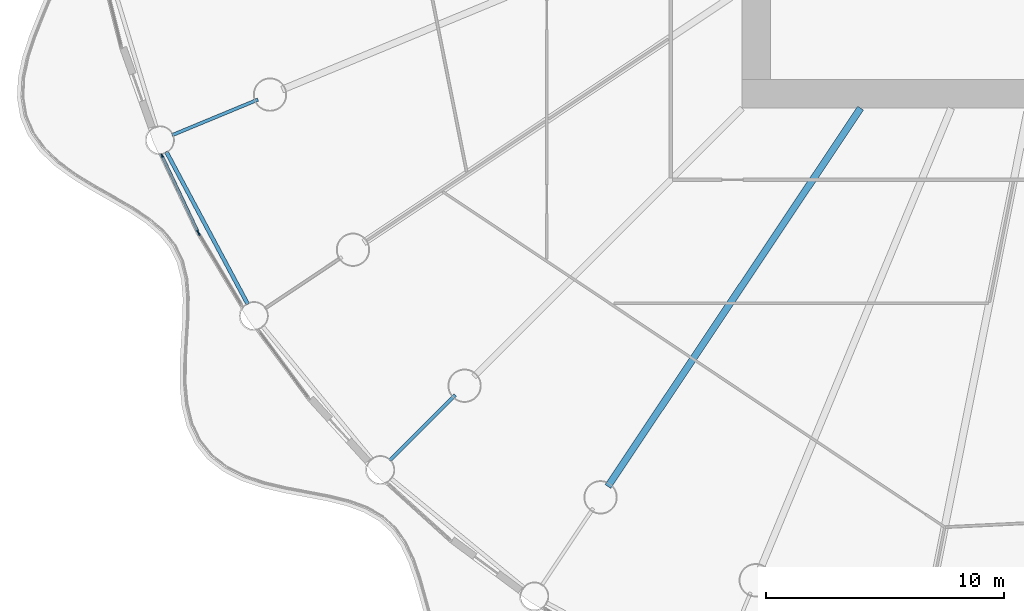
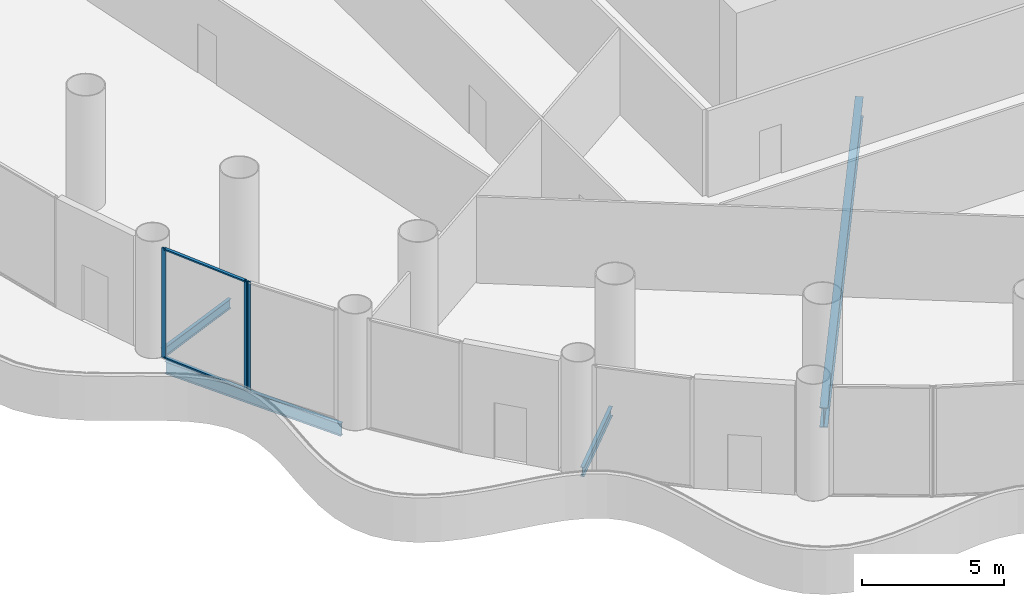
# One storey, part 3 of 35: 5 members, 4 beams, 2 elements without a shape of their own.
"""IFC4 building model written with IfcOpenShell, lengths in metres."""

from ifc_helpers import new_model, si_unit, direction, frame, origin, origin_2d, place, context, subcontext, project, spatial, rectangle, i_section, extrude, material, material_profile, profile_set, type_object, element, aggregate, save


model = new_model("IFC4")

# Units and contexts
model_context = context("Model", 3, precision=1e-05, world=origin(), true_north=direction((0.0, 1.0)))
body_context = subcontext(model_context, "Body", "Model", "MODEL_VIEW")
ifc_project = project(units=[si_unit("LENGTHUNIT", "METRE"), si_unit("AREAUNIT", "SQUARE_METRE"), si_unit("VOLUMEUNIT", "CUBIC_METRE"), si_unit("PLANEANGLEUNIT", "RADIAN"), si_unit("MASSUNIT", "GRAM", prefix="KILO")], contexts=[model_context])

# Site, building, storey
site_placement = place(None, origin())
site = spatial("IfcSite", under=ifc_project, at=site_placement, CompositionType="ELEMENT")
building_placement = place(site_placement, origin())
building = spatial("IfcBuilding", under=site, at=building_placement, Name="Corvane Civic Tower", CompositionType="ELEMENT")
storey_placement = place(building_placement, frame((0.0, 0.0, 22.0)))
storey = spatial("IfcBuildingStorey", under=building, at=storey_placement, Name="L04", CompositionType="ELEMENT", Elevation=22.0)

# Beams
ifc_material_1 = material(Name="Steel ASTM A992 Gr 50", Category="steel")
ifc_material_profile_1 = material_profile(ifc_material_1, i_section(OverallWidth=0.165771484375, OverallDepth=0.5283203125, WebThickness=0.009765625, FlangeThickness=0.013671875, at=origin_2d()), Name="W21X50")
ifc_profile_set_1 = profile_set([ifc_material_profile_1], Name="Steel ASTM A992 Gr 50")
beam_type_1 = type_object("IfcBeamType", Name="EDGE BEAM W21X50", PredefinedType="BEAM", material=ifc_profile_set_1)
beam_1_placement = place(storey_placement, frame((-35.762939453125, -23.23779296875, -0.564208984375), z_axis=(-0.471412394598, 0.881912894916, 0.0), x_axis=(-0.881912894916, -0.471412394598, 0.0)))
element("IfcBeam", 1, at=beam_1_placement, inside=storey, type_object=beam_type_1, Name="BM-L04-E22", PredefinedType="BEAM", context=body_context, shape_type="SweptSolid", body=[
    extrude(i_section(OverallWidth=0.165771484375, OverallDepth=0.5283203125, WebThickness=0.009765625, FlangeThickness=0.013671875, at=origin_2d()), origin(), (0.0, 0.0, 1.0), 7.270751953125),
])
ifc_material_2 = material(Name="Steel ASTM A992 Gr 50", Category="steel")
ifc_material_profile_2 = material_profile(ifc_material_2, i_section(OverallWidth=0.140380859375, OverallDepth=0.40380859375, WebThickness=0.007080078125, FlangeThickness=0.01123046875, at=origin_2d()), Name="W16X31")
ifc_profile_set_2 = profile_set([ifc_material_profile_2], Name="Steel ASTM A992 Gr 50")
beam_type_2 = type_object("IfcBeamType", Name="FLOOR GIRDER W16X31", PredefinedType="BEAM", material=ifc_profile_set_2)
for number, where, z_axis, x_axis, name in (
    (2, (-27.046875, -27.046875, -0.501953125), (-0.707106781187, -0.707106781187, 0.0), (0.707106781187, -0.707106781187, 0.0), "BM-L04-G21b"),
    (3, (-35.33837890625, -14.6376953125, -0.501953125), (-0.923878730261, -0.382685369162, 0.0), (0.382685369162, -0.923878730261, 0.0), "BM-L04-G23b"),
):
    element("IfcBeam", number, at=place(storey_placement, frame(where, z_axis=z_axis, x_axis=x_axis)), inside=storey, type_object=beam_type_2, Name=name, PredefinedType="BEAM", context=body_context, shape_type="SweptSolid", body=[
        extrude(i_section(OverallWidth=0.140380859375, OverallDepth=0.40380859375, WebThickness=0.007080078125, FlangeThickness=0.01123046875, at=origin_2d()), origin(), (0.0, 0.0, 1.0), 3.89990234375),
    ])
ifc_material_3 = material(Name="Steel ASTM A992 Gr 50", Category="steel")
ifc_material_profile_3 = material_profile(ifc_material_3, i_section(OverallWidth=0.2919921875, OverallDepth=0.845703125, WebThickness=0.015380859375, FlangeThickness=0.0244140625, at=origin_2d()), Name="W33X141")
ifc_profile_set_3 = profile_set([ifc_material_profile_3], Name="Steel ASTM A992 Gr 50")
beam_type_3 = type_object("IfcBeamType", Name="FLOOR GIRDER W33X141", PredefinedType="BEAM", material=ifc_profile_set_3)
beam_2_placement = place(storey_placement, frame((-10.022705078125, -15.0, -0.722900390625), z_axis=(-0.555566681385, -0.831471985418, 0.0), x_axis=(0.831471985418, -0.555566681385, 0.0)))
element("IfcBeam", 4, at=beam_2_placement, inside=storey, type_object=beam_type_3, Name="BM-L04-G20", PredefinedType="BEAM", context=body_context, shape_type="SweptSolid", body=[
    extrude(i_section(OverallWidth=0.2919921875, OverallDepth=0.845703125, WebThickness=0.015380859375, FlangeThickness=0.0244140625, at=origin_2d()), origin(), (0.0, 0.0, 1.0), 19.109619140625),
])

# Curtain wall, member
ifc_material_4 = material(Name="Aluminium and glass", Category="aluminium")
curtain_wall_type = type_object("IfcCurtainWallType", Name="PODIUM-CW-P-RUN", PredefinedType="NOTDEFINED", material=ifc_material_4)
curtain_wall_1_placement = place(storey_placement, origin())
curtain_wall_1 = element("IfcCurtainWall", 5, at=curtain_wall_1_placement, inside=storey, type_object=curtain_wall_type, Name="PODI run L04-drum-22A", PredefinedType="NOTDEFINED")
ifc_material_5 = material(Name="Anodised aluminium bronze", Category="aluminium")
ifc_material_profile_4 = material_profile(ifc_material_5, rectangle(XDim=0.06005859375, YDim=0.159912109375, at=origin_2d()), Name="AL 60x160")
ifc_profile_set_4 = profile_set([ifc_material_profile_4], Name="Anodised aluminium bronze")
member_type_1 = type_object("IfcMemberType", Name="PODIUM-CWP-MULLION-60x160", PredefinedType="MULLION", material=ifc_profile_set_4)
member_1_placement = place(storey_placement, frame((-37.819580078125, -20.2666015625, 0.0), z_axis=(0.0, 0.0, 1.0), x_axis=(-0.857719609779, -0.514117759857, 0.0)))
member_1 = element("IfcMember", 6, at=member_1_placement, type_object=member_type_1, Name="CW-P mullion 2", PredefinedType="MULLION", context=body_context, shape_type="SweptSolid", body=[
    extrude(rectangle(XDim=0.06005859375, YDim=0.159912109375, at=origin_2d()), origin(), (0.0, 0.0, 1.0), 4.699951171875),
])
aggregate(curtain_wall_1, [member_1])

# Curtain wall, members
curtain_wall_2_placement = place(storey_placement, origin())
curtain_wall_2 = element("IfcCurtainWall", 7, at=curtain_wall_2_placement, inside=storey, type_object=curtain_wall_type, Name="PODI run L04-drum-22B", PredefinedType="NOTDEFINED")
member_2_placement = place(storey_placement, frame((-37.862548828125, -20.186279296875, 0.0), z_axis=(0.0, 0.0, 1.0), x_axis=(-0.903990222454, -0.42755312852, 0.0)))
member_2 = element("IfcMember", 8, at=member_2_placement, type_object=member_type_1, Name="CW-P mullion 1", PredefinedType="MULLION", context=body_context, shape_type="SweptSolid", body=[
    extrude(rectangle(XDim=0.06005859375, YDim=0.159912109375, at=origin_2d()), origin(), (0.0, 0.0, 1.0), 4.699951171875),
])
member_3_placement = place(storey_placement, frame((-39.36767578125, -17.00439453125, 0.0), z_axis=(0.0, 0.0, 1.0), x_axis=(-0.903990222454, -0.42755312852, 0.0)))
member_3 = element("IfcMember", 9, at=member_3_placement, type_object=member_type_1, Name="CW-P mullion 2", PredefinedType="MULLION", context=body_context, shape_type="SweptSolid", body=[
    extrude(rectangle(XDim=0.06005859375, YDim=0.159912109375, at=origin_2d()), origin(), (0.0, 0.0, 1.0), 4.699951171875),
])
ifc_material_6 = material(Name="Anodised aluminium bronze", Category="aluminium")
ifc_material_profile_5 = material_profile(ifc_material_6, rectangle(XDim=0.1201171875, YDim=0.06005859375, at=origin_2d()), Name="AL 120x60")
ifc_profile_set_5 = profile_set([ifc_material_profile_5], Name="Anodised aluminium bronze")
member_type_2 = type_object("IfcMemberType", Name="PODIUM-CWP-TRANSOM-60x120", PredefinedType="USERDEFINED", material=ifc_profile_set_5)
member_4_placement = place(storey_placement, frame((-37.87548828125, -20.1591796875, 0.030029296875), z_axis=(-0.427546343166, 0.903993431638, 0.0), x_axis=(-0.903993431638, -0.427546343166, 0.0)))
member_4 = element("IfcMember", 10, at=member_4_placement, type_object=member_type_2, Name="CW-P transom 1.1", ObjectType="TRANSOM", PredefinedType="USERDEFINED", context=body_context, shape_type="SweptSolid", body=[
    extrude(rectangle(XDim=0.1201171875, YDim=0.06005859375, at=origin_2d()), origin(), (0.0, 0.0, 1.0), 3.4599609375),
])
member_5_placement = place(storey_placement, frame((-37.87548828125, -20.1591796875, 4.669921875), z_axis=(-0.427546343166, 0.903993431638, 0.0), x_axis=(-0.903993431638, -0.427546343166, 0.0)))
member_5 = element("IfcMember", 11, at=member_5_placement, type_object=member_type_2, Name="CW-P transom 1.2", ObjectType="TRANSOM", PredefinedType="USERDEFINED", context=body_context, shape_type="SweptSolid", body=[
    extrude(rectangle(XDim=0.1201171875, YDim=0.06005859375, at=origin_2d()), origin(), (0.0, 0.0, 1.0), 3.4599609375),
])
aggregate(curtain_wall_2, [member_2, member_3, member_4, member_5])

save(model, "model.ifc")
